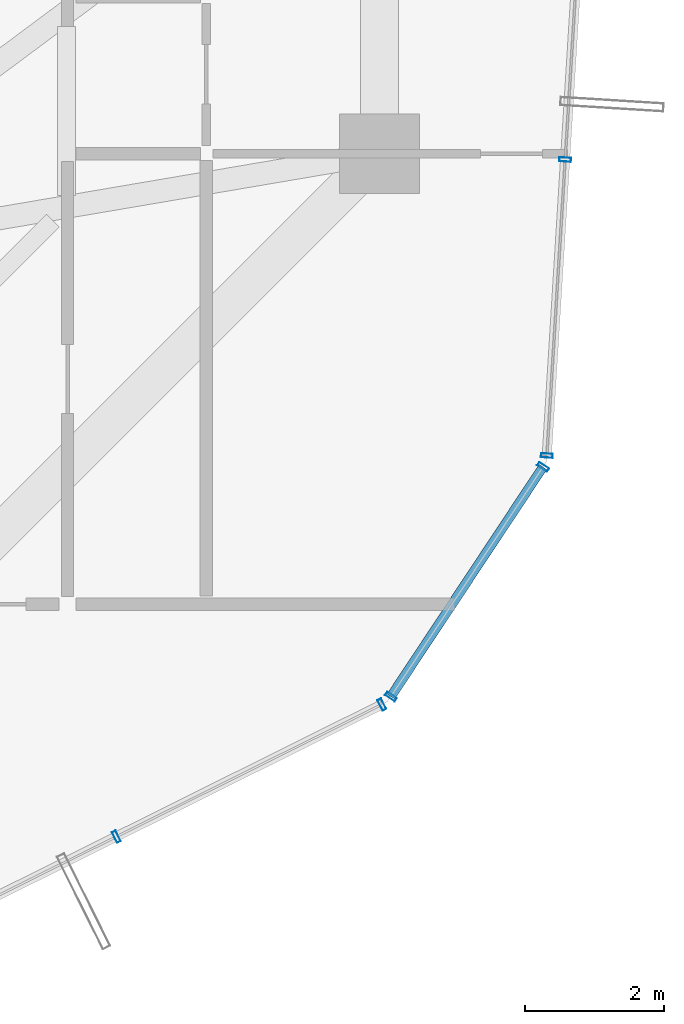
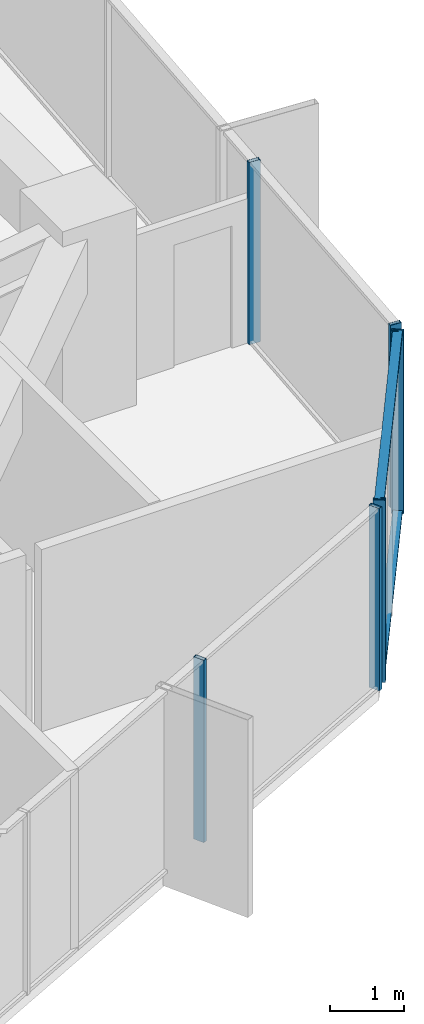
# One storey, part 12 of 30: 8 members, 3 elements without a shape of their own.
"""IFC4 building model written with IfcOpenShell, lengths in metres."""

from ifc_helpers import new_model, si_unit, direction, frame, origin, origin_2d, place, context, subcontext, project, spatial, hollow_rectangle, extrude, source, transform, mapped, material, layer, layer_set, material_profile, profile_set, type_object, element, aggregate, save


model = new_model("IFC4")

# Units and contexts
model_context = context("Model", 3, precision=1e-05, world=origin(), true_north=direction((0.0, 1.0)))
body_context = subcontext(model_context, "Body", "Model", "MODEL_VIEW")
ifc_project = project(units=[si_unit("LENGTHUNIT", "METRE"), si_unit("AREAUNIT", "SQUARE_METRE"), si_unit("VOLUMEUNIT", "CUBIC_METRE"), si_unit("PLANEANGLEUNIT", "RADIAN"), si_unit("MASSUNIT", "GRAM", prefix="KILO")], contexts=[model_context])

# Site, building, storey
site_placement = place(None, origin())
site = spatial("IfcSite", under=ifc_project, at=site_placement, CompositionType="ELEMENT")
building_placement = place(site_placement, origin())
building = spatial("IfcBuilding", under=site, at=building_placement, Name="Veraguas Prism Commons", CompositionType="ELEMENT")
storey_placement = place(building_placement, frame((0.0, 0.0, 116.5)))
storey = spatial("IfcBuildingStorey", under=building, at=storey_placement, Name="L32", CompositionType="ELEMENT", Elevation=116.5)

# Curtain wall, members
ifc_material = material(Name="Anodised aluminium EN AW-6063 T6", Category="aluminium")
ifc_layer = layer(ifc_material, 0.169921875, Name="Unitised Flush Curtain Wall Zone 2", Category="aluminium")
ifc_layer_set = layer_set([ifc_layer], Name="Anodised aluminium EN AW-6063 T6")
curtain_wall_type = type_object("IfcCurtainWallType", Name="Unitised Flush Curtain Wall Zone 2", PredefinedType="NOTDEFINED", material=ifc_layer_set)
curtain_wall_1_placement = place(storey_placement, origin())
curtain_wall_1 = element("IfcCurtainWall", 1, at=curtain_wall_1_placement, inside=storey, type_object=curtain_wall_type, Name="Tower Facade Curtain Wall L32-F5", PredefinedType="NOTDEFINED")
ifc_material_profile_1 = material_profile(ifc_material, hollow_rectangle(XDim=0.06005859375, YDim=0.169921875, WallThickness=0.00390625, at=origin_2d()), Name="AL60X170X4")
ifc_profile_set_1 = profile_set([ifc_material_profile_1], Name="Anodised aluminium EN AW-6063 T6")
member_type_1 = type_object("IfcMemberType", Name="Curtain Wall Mullion Lower AL 60x170x4", PredefinedType="MULLION", material=ifc_profile_set_1)
shared_shape_1 = source(origin(), body_context, "Body", "SweptSolid", [
    extrude(hollow_rectangle(XDim=0.06005859375, YDim=0.169921875, WallThickness=0.00390625, at=origin_2d()), origin(), (0.0, 0.0, 1.0), 3.0),
])
member_1_placement = place(storey_placement, frame((36.404541015625, 8.746826171875, 0.0), z_axis=(0.0, 0.0, 1.0), x_axis=(0.895244870652, 0.445574484875, 0.0)))
member_1 = element("IfcMember", 2, at=member_1_placement, type_object=member_type_1, Name="CW-Z2 Mullion 4", PredefinedType="MULLION", context=body_context, shape_type="MappedRepresentation", body=[
    mapped(shared_shape_1, transform((0.0, 0.0, 0.0), scale=1.0)),
])
member_2_placement = place(storey_placement, frame((40.23486328125, 10.6533203125, 0.0), z_axis=(0.0, 0.0, 1.0), x_axis=(0.895244870652, 0.445574484875, 0.0)))
member_2 = element("IfcMember", 3, at=member_2_placement, type_object=member_type_1, Name="CW-Z2 Mullion 5", PredefinedType="MULLION", context=body_context, shape_type="MappedRepresentation", body=[
    mapped(shared_shape_1, transform((0.0, 0.0, 0.0), scale=1.0)),
])
aggregate(curtain_wall_1, [member_1, member_2])

curtain_wall_2_placement = place(storey_placement, origin())
curtain_wall_2 = element("IfcCurtainWall", 4, at=curtain_wall_2_placement, inside=storey, type_object=curtain_wall_type, Name="Tower Facade Curtain Wall L32-F6", PredefinedType="NOTDEFINED")
member_3_placement = place(storey_placement, frame((42.61572265625, 14.24462890625, 0.0), z_axis=(0.0, 0.0, 1.0), x_axis=(0.061743612146, 0.99809204303, 0.0)))
member_3 = element("IfcMember", 5, at=member_3_placement, type_object=member_type_1, Name="CW-Z2 Mullion 1", PredefinedType="MULLION", context=body_context, shape_type="MappedRepresentation", body=[
    mapped(shared_shape_1, transform((0.0, 0.0, 0.0), scale=1.0)),
])
member_4_placement = place(storey_placement, frame((42.8798828125, 18.51513671875, 0.0), z_axis=(0.0, 0.0, 1.0), x_axis=(0.061743612146, 0.99809204303, 0.0)))
member_4 = element("IfcMember", 6, at=member_4_placement, type_object=member_type_1, Name="CW-Z2 Mullion 2", PredefinedType="MULLION", context=body_context, shape_type="MappedRepresentation", body=[
    mapped(shared_shape_1, transform((0.0, 0.0, 0.0), scale=1.0)),
])
aggregate(curtain_wall_2, [member_3, member_4])

curtain_wall_3_placement = place(storey_placement, origin())
curtain_wall_3 = element("IfcCurtainWall", 7, at=curtain_wall_3_placement, inside=storey, type_object=curtain_wall_type, Name="Chamfer Curtain Wall L32-C6", PredefinedType="NOTDEFINED")
member_5_placement = place(storey_placement, frame((40.365234375, 10.768310546875, 0.0), z_axis=(0.0, 0.0, 1.0), x_axis=(0.552507374975, 0.833508008719, 0.0)))
member_5 = element("IfcMember", 8, at=member_5_placement, type_object=member_type_1, Name="CW-Z2 Mullion 1", PredefinedType="MULLION", context=body_context, shape_type="MappedRepresentation", body=[
    mapped(shared_shape_1, transform((0.0, 0.0, 0.0), scale=1.0)),
])
member_6_placement = place(storey_placement, frame((42.560302734375, 14.079833984375, 0.0), z_axis=(0.0, 0.0, 1.0), x_axis=(0.552507374975, 0.833508008719, 0.0)))
member_6 = element("IfcMember", 9, at=member_6_placement, type_object=member_type_1, Name="CW-Z2 Mullion 2", PredefinedType="MULLION", context=body_context, shape_type="MappedRepresentation", body=[
    mapped(shared_shape_1, transform((0.0, 0.0, 0.0), scale=1.0)),
])
ifc_material_profile_2 = material_profile(ifc_material, hollow_rectangle(XDim=0.054931640625, YDim=0.135009765625, WallThickness=0.0029296875, at=origin_2d()), Name="AL55X135X3")
ifc_profile_set_2 = profile_set([ifc_material_profile_2], Name="Anodised aluminium EN AW-6063 T6")
member_type_2 = type_object("IfcMemberType", Name="Curtain Wall Transom Standard AL 55x135x3", PredefinedType="USERDEFINED", material=ifc_profile_set_2)
shared_shape_2 = source(origin(), body_context, "Body", "SweptSolid", [
    extrude(hollow_rectangle(XDim=0.054931640625, YDim=0.135009765625, WallThickness=0.0029296875, at=origin_2d()), origin(), (0.0, 0.0, 1.0), 3.972900390625),
])
member_7_placement = place(storey_placement, frame((40.365234375, 10.768310546875, 0.027587890625), z_axis=(0.55250022843, 0.833512745904, 0.0), x_axis=(0.0, 0.0, 1.0)))
member_7 = element("IfcMember", 10, at=member_7_placement, type_object=member_type_2, Name="CW-Z2 Transom 1", ObjectType="TRANSOM", PredefinedType="USERDEFINED", context=body_context, shape_type="MappedRepresentation", body=[
    mapped(shared_shape_2, transform((0.0, 0.0, 0.0), scale=1.0)),
])
member_8_placement = place(storey_placement, frame((40.365234375, 10.768310546875, 2.972412109375), z_axis=(0.55250022843, 0.833512745904, 0.0), x_axis=(0.0, 0.0, 1.0)))
member_8 = element("IfcMember", 11, at=member_8_placement, type_object=member_type_2, Name="CW-Z2 Transom 2", ObjectType="TRANSOM", PredefinedType="USERDEFINED", context=body_context, shape_type="MappedRepresentation", body=[
    mapped(shared_shape_2, transform((0.0, 0.0, 0.0), scale=1.0)),
])
aggregate(curtain_wall_3, [member_5, member_6, member_7, member_8])

save(model, "model.ifc")
